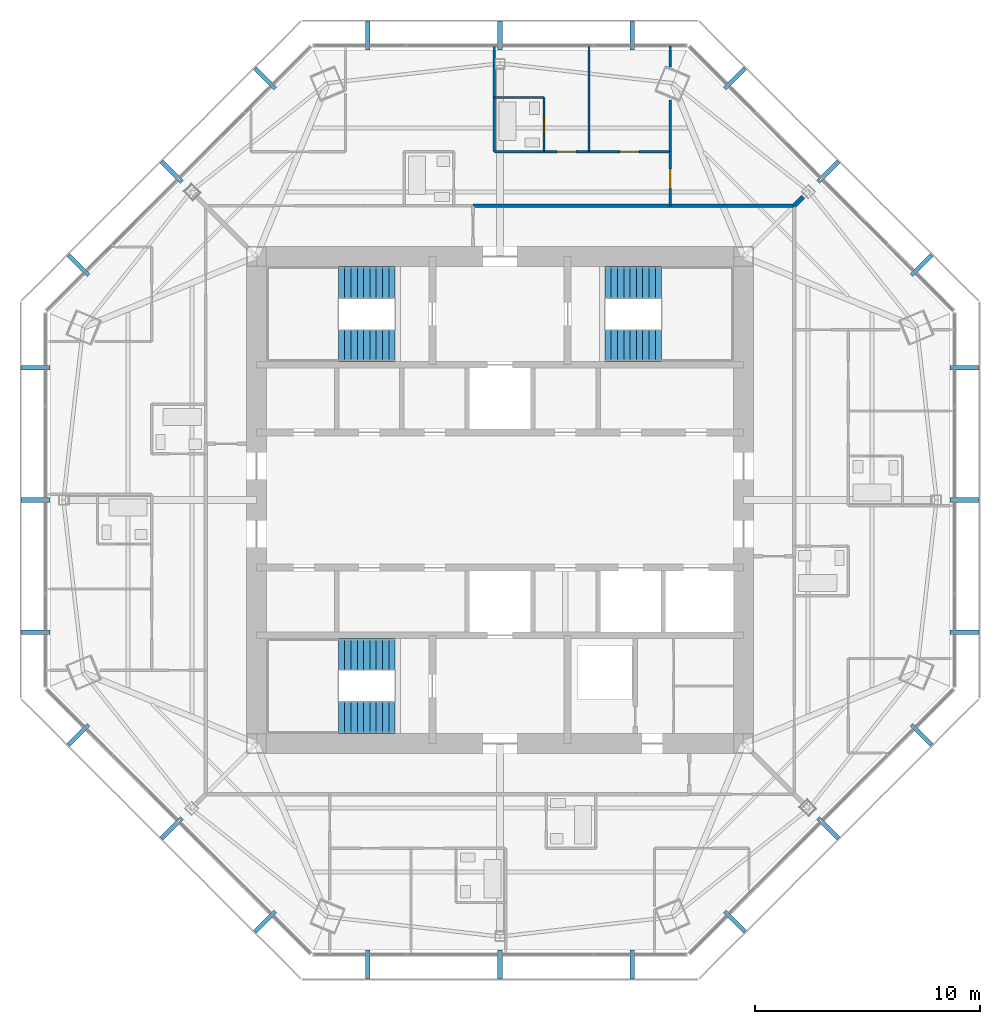
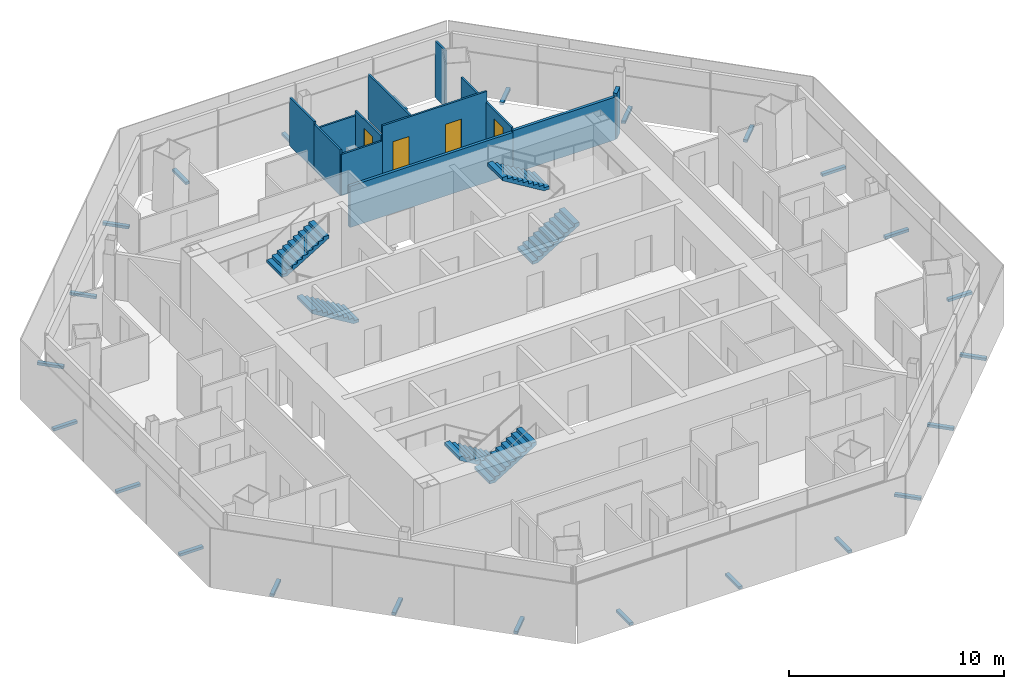
# One storey, part 13 of 15: 24 discrete accessories, 13 walls, 6 stair flights, 4 doors, 4 openings, 3 elements without a shape of their own.
"""IFC4 building model written with IfcOpenShell, lengths in metres."""

from ifc_helpers import new_model, si_unit, direction, frame, frame_2d, origin, origin_2d, place, context, subcontext, project, spatial, polyline, rectangle, outline, extrude, source, transform, mapped, material, layer, layer_set, type_object, type_shapes, element, fill, aggregate, save


model = new_model("IFC4")

# Units and contexts
model_context = context("Model", 3, precision=1e-05, world=origin(), true_north=direction((0.0, 1.0)))
body_context = subcontext(model_context, "Body", "Model", "MODEL_VIEW")
ifc_project = project(units=[si_unit("LENGTHUNIT", "METRE"), si_unit("AREAUNIT", "SQUARE_METRE"), si_unit("VOLUMEUNIT", "CUBIC_METRE"), si_unit("PLANEANGLEUNIT", "RADIAN"), si_unit("MASSUNIT", "GRAM", prefix="KILO")], contexts=[model_context])

# Site, building, storey
site_placement = place(None, origin())
site = spatial("IfcSite", under=ifc_project, at=site_placement, CompositionType="ELEMENT")
building_placement = place(site_placement, origin())
building = spatial("IfcBuilding", under=site, at=building_placement, Name="Mashrafa Tower", CompositionType="ELEMENT")
storey_placement = place(building_placement, frame((0.0, 0.0, 277.60009765625)))
storey = spatial("IfcBuildingStorey", under=building, at=storey_placement, Name="L67", CompositionType="ELEMENT", Elevation=277.60009765625)

# Walls
ifc_material_1 = material(Name="Gypsum board on steel studs", Category="steel")
ifc_layer_1 = layer(ifc_material_1, 0.199951171875)
ifc_layer_set_1 = layer_set([ifc_layer_1], Name="Acoustic partition 200 1 hr")
wall_type_1 = type_object("IfcWallType", Name="Acoustic partition 200 1 hr", PredefinedType="PARTITIONING", material=ifc_layer_set_1)
wall_1_placement = place(storey_placement, frame((13.4501953125, 13.4501953125, 0.0), z_axis=(0.0, 0.0, 1.0), x_axis=(-0.707106781187, -0.707106781187, 0.0)))
element("IfcWall", 1, at=wall_1_placement, inside=storey, type_object=wall_type_1, Name="Acoustic wall L67-050", PredefinedType="PARTITIONING", context=body_context, shape_type="SweptSolid", body=[
    extrude(rectangle(XDim=0.56591796875, YDim=0.199951171875, at=frame_2d((0.282958984375, 0.0))), origin(), (0.0, 0.0, 1.0), 2.590576171875),
])
ifc_material_2 = material(Name="Gypsum board on steel studs", Category="steel")
ifc_layer_2 = layer(ifc_material_2, 0.14990234375)
ifc_layer_set_2 = layer_set([ifc_layer_2], Name="Corridor partition 150 1 hr")
wall_type_2 = type_object("IfcWallType", Name="Corridor partition 150 1 hr", PredefinedType="PARTITIONING", material=ifc_layer_set_2)
wall_2_placement = place(storey_placement, frame((13.050048828125, 13.050048828125, 0.0), z_axis=(0.0, 0.0, 1.0), x_axis=(-1.0, 0.0, 0.0)))
element("IfcWall", 2, at=wall_2_placement, inside=storey, type_object=wall_type_2, Name="Corridor wall L67-004", PredefinedType="PARTITIONING", context=body_context, shape_type="SweptSolid", body=[
    extrude(rectangle(XDim=5.5009765625, YDim=0.14990234375, at=frame_2d((2.75048828125, 0.0))), origin(), (0.0, 0.0, 1.0), 2.427978515625),
])
wall_3_placement = place(storey_placement, frame((7.551025390625, 13.050048828125, 0.0), z_axis=(0.0, 0.0, 1.0), x_axis=(-1.0, 0.0, 0.0)))
element("IfcWall", 3, at=wall_3_placement, inside=storey, type_object=wall_type_2, Name="Corridor wall L67-005", PredefinedType="PARTITIONING", context=body_context, shape_type="SweptSolid", body=[
    extrude(rectangle(XDim=8.7509765625, YDim=0.14990234375, at=frame_2d((4.37548828125, 0.0))), origin(), (0.0, 0.0, 1.0), 2.343994140625),
])

# Wall, opening, door
ifc_material_3 = material(Name="Gypsum board on steel studs", Category="steel")
ifc_layer_3 = layer(ifc_material_3, 0.10009765625)
ifc_layer_set_3 = layer_set([ifc_layer_3], Name="Partition 100")
wall_type_3 = type_object("IfcWallType", Name="Partition 100", PredefinedType="PARTITIONING", material=ifc_layer_set_3)
wall_4_placement = place(storey_placement, frame((1.949951171875, 15.449951171875, 0.0), z_axis=(0.0, 0.0, 1.0), x_axis=(0.0, 1.0, 0.0)))
wall_4 = element("IfcWall", 4, at=wall_4_placement, inside=storey, type_object=wall_type_3, Name="Partition wall L67-058", PredefinedType="PARTITIONING", context=body_context, shape_type="SweptSolid", body=[
    extrude(rectangle(XDim=2.400146484375, YDim=0.10009765625, at=frame_2d((1.2001953125, 0.0))), origin(), (0.0, 0.0, 1.0), 2.590576171875),
])
opening_1_placement = place(wall_4_placement, frame((0.800048828125, 0.0, 0.0)))
opening_1 = element("IfcOpeningElement", 5, at=opening_1_placement, cuts=wall_4, Name="Opening 67.012", PredefinedType="OPENING", context=body_context, shape_type="SweptSolid", body=[
    extrude(rectangle(XDim=0.800048828125, YDim=2.10009765625, at=frame_2d((0.39990234375, 1.050048828125))), frame((0.0, 0.06005859375, 0.0), z_axis=(0.0, -1.0, 0.0), x_axis=(1.0, 0.0, 0.0)), (0.0, 0.0, 1.0), 0.1201171875),
])
ifc_material_4 = material(Name="Timber door", Category="wood")
door_type_1 = type_object("IfcDoorType", Name="Bathroom door 800 x 2100", OperationType="USERDEFINED", PredefinedType="DOOR", material=ifc_material_4)
door_1_placement = place(opening_1_placement, origin())
door_1 = element("IfcDoor", 6, at=door_1_placement, inside=storey, type_object=door_type_1, Name="Apartment 6702 En-suite Bathroom door", OperationType="SINGLE_SWING_RIGHT", OverallHeight=2.10009765625, OverallWidth=0.800048828125, PredefinedType="DOOR", context=body_context, shape_type="SweptSolid", body=[
    extrude(rectangle(XDim=0.800048828125, YDim=2.10009765625, at=frame_2d((0.39990234375, 1.050048828125))), frame((0.0, 0.02490234375, 0.0), z_axis=(0.0, -1.0, 0.0), x_axis=(1.0, 0.0, 0.0)), (0.0, 0.0, 1.0), 0.050048828125),
])
fill(opening_1, door_1)

# Walls
wall_5_placement = place(storey_placement, frame((1.949951171875, 17.85009765625, 0.0), z_axis=(0.0, 0.0, 1.0), x_axis=(-1.0, 0.0, 0.0)))
element("IfcWall", 7, at=wall_5_placement, inside=storey, type_object=wall_type_3, Name="Partition wall L67-059", PredefinedType="PARTITIONING", context=body_context, shape_type="SweptSolid", body=[
    extrude(rectangle(XDim=2.199951171875, YDim=0.10009765625, at=frame_2d((1.10009765625, 0.0))), origin(), (0.0, 0.0, 1.0), 2.343994140625),
])
wall_6_placement = place(storey_placement, frame((-0.25, 17.85009765625, 0.0), z_axis=(0.0, 0.0, 1.0), x_axis=(0.0, -1.0, 0.0)))
element("IfcWall", 8, at=wall_6_placement, inside=storey, type_object=wall_type_3, Name="Partition wall L67-060", PredefinedType="PARTITIONING", context=body_context, shape_type="SweptSolid", body=[
    extrude(rectangle(XDim=2.400146484375, YDim=0.10009765625, at=frame_2d((1.2001953125, 0.0))), origin(), (0.0, 0.0, 1.0), 2.590576171875),
])
wall_7_placement = place(storey_placement, frame((-0.25, 15.449951171875, 0.0), z_axis=(0.0, 0.0, 1.0), x_axis=(1.0, 0.0, 0.0)))
element("IfcWall", 9, at=wall_7_placement, inside=storey, type_object=wall_type_3, Name="Partition wall L67-061", PredefinedType="PARTITIONING", context=body_context, shape_type="SweptSolid", body=[
    extrude(rectangle(XDim=2.199951171875, YDim=0.10009765625, at=frame_2d((1.10009765625, 0.0))), origin(), (0.0, 0.0, 1.0), 2.343994140625),
])
wall_8_placement = place(storey_placement, frame((3.949951171875, 15.449951171875, 0.0), z_axis=(0.0, 0.0, 1.0), x_axis=(0.0, 1.0, 0.0)))
element("IfcWall", 10, at=wall_8_placement, inside=storey, type_object=wall_type_3, Name="Partition wall L67-062", PredefinedType="PARTITIONING", context=body_context, shape_type="SweptSolid", body=[
    extrude(rectangle(XDim=4.69384765625, YDim=0.10009765625, at=frame_2d((2.346923828125, 0.0))), origin(), (0.0, 0.0, 1.0), 2.590576171875),
])
wall_9_placement = place(storey_placement, frame((-0.25, 20.143798828125, 0.0), z_axis=(0.0, 0.0, 1.0), x_axis=(0.0, -1.0, 0.0)))
element("IfcWall", 11, at=wall_9_placement, inside=storey, type_object=wall_type_3, Name="Partition wall L67-063", PredefinedType="PARTITIONING", context=body_context, shape_type="SweptSolid", body=[
    extrude(rectangle(XDim=2.293701171875, YDim=0.10009765625, at=frame_2d((1.14697265625, 0.0))), origin(), (0.0, 0.0, 1.0), 2.740234375),
])

# Wall, openings, doors
wall_10_placement = place(storey_placement, frame((1.949951171875, 15.449951171875, 0.0), z_axis=(0.0, 0.0, 1.0), x_axis=(1.0, 0.0, 0.0)))
wall_10 = element("IfcWall", 12, at=wall_10_placement, inside=storey, type_object=wall_type_3, Name="Partition wall L67-064", PredefinedType="PARTITIONING", context=body_context, shape_type="SweptSolid", body=[
    extrude(rectangle(XDim=5.60009765625, YDim=0.10009765625, at=frame_2d((2.800048828125, 0.0))), origin(), (0.0, 0.0, 1.0), 3.199951171875),
])
opening_2_placement = place(wall_10_placement, frame((0.574951171875, 0.0, 0.0)))
opening_2 = element("IfcOpeningElement", 13, at=opening_2_placement, cuts=wall_10, Name="Opening 67.013", PredefinedType="OPENING", context=body_context, shape_type="SweptSolid", body=[
    extrude(rectangle(XDim=0.85009765625, YDim=2.10009765625, at=frame_2d((0.425048828125, 1.050048828125))), frame((0.0, 0.06005859375, 0.0), z_axis=(0.0, -1.0, 0.0), x_axis=(1.0, 0.0, 0.0)), (0.0, 0.0, 1.0), 0.1201171875),
])
opening_3_placement = place(wall_10_placement, frame((3.375, 0.0, 0.0)))
opening_3 = element("IfcOpeningElement", 14, at=opening_3_placement, cuts=wall_10, Name="Opening 67.014", PredefinedType="OPENING", context=body_context, shape_type="SweptSolid", body=[
    extrude(rectangle(XDim=0.85009765625, YDim=2.10009765625, at=frame_2d((0.425048828125, 1.050048828125))), frame((0.0, 0.06005859375, 0.0), z_axis=(0.0, -1.0, 0.0), x_axis=(1.0, 0.0, 0.0)), (0.0, 0.0, 1.0), 0.1201171875),
])
ifc_material_5 = material(Name="Timber door", Category="wood")
door_type_2 = type_object("IfcDoorType", Name="Bedroom door 850 x 2100", OperationType="USERDEFINED", PredefinedType="DOOR", material=ifc_material_5)
door_2_placement = place(opening_2_placement, origin())
door_2 = element("IfcDoor", 15, at=door_2_placement, inside=storey, type_object=door_type_2, Name="Apartment 6702 Bedroom 1 door", OperationType="SINGLE_SWING_RIGHT", OverallHeight=2.10009765625, OverallWidth=0.85009765625, PredefinedType="DOOR", context=body_context, shape_type="SweptSolid", body=[
    extrude(rectangle(XDim=0.85009765625, YDim=2.10009765625, at=frame_2d((0.425048828125, 1.050048828125))), frame((0.0, 0.02490234375, 0.0), z_axis=(0.0, -1.0, 0.0), x_axis=(1.0, 0.0, 0.0)), (0.0, 0.0, 1.0), 0.050048828125),
])
fill(opening_2, door_2)
door_3_placement = place(opening_3_placement, origin())
door_3 = element("IfcDoor", 16, at=door_3_placement, inside=storey, type_object=door_type_2, Name="Apartment 6702 Bedroom 2 door", OperationType="SINGLE_SWING_LEFT", OverallHeight=2.10009765625, OverallWidth=0.85009765625, PredefinedType="DOOR", context=body_context, shape_type="SweptSolid", body=[
    extrude(rectangle(XDim=0.85009765625, YDim=2.10009765625, at=frame_2d((0.425048828125, 1.050048828125))), frame((0.0, 0.02490234375, 0.0), z_axis=(0.0, -1.0, 0.0), x_axis=(1.0, 0.0, 0.0)), (0.0, 0.0, 1.0), 0.050048828125),
])
fill(opening_3, door_3)

# Walls
wall_11_placement = place(storey_placement, frame((7.550048828125, 15.449951171875, 0.0), z_axis=(0.0, 0.0, 1.0), x_axis=(0.0, 1.0, 0.0)))
element("IfcWall", 17, at=wall_11_placement, inside=storey, type_object=wall_type_3, Name="Partition wall L67-065", PredefinedType="PARTITIONING", context=body_context, shape_type="SweptSolid", body=[
    extrude(rectangle(XDim=2.294677734375, YDim=0.10009765625, at=frame_2d((1.1474609375, 0.0))), origin(), (0.0, 0.0, 1.0), 2.590576171875),
])
wall_12_placement = place(storey_placement, frame((7.550048828125, 19.197998046875, 0.0), z_axis=(0.0, 0.0, 1.0), x_axis=(0.0, 1.0, 0.0)))
element("IfcWall", 18, at=wall_12_placement, inside=storey, type_object=wall_type_3, Name="Partition wall L67-066", PredefinedType="PARTITIONING", context=body_context, shape_type="SweptSolid", body=[
    extrude(rectangle(XDim=0.94580078125, YDim=0.10009765625, at=frame_2d((0.472900390625, 0.0))), origin(), (0.0, 0.0, 1.0), 3.199951171875),
])

# Wall, opening, door
wall_13_placement = place(storey_placement, frame((7.550048828125, 15.450927734375, 0.0), z_axis=(0.0, 0.0, 1.0), x_axis=(0.0, -1.0, 0.0)))
wall_13 = element("IfcWall", 19, at=wall_13_placement, inside=storey, type_object=wall_type_3, Name="Partition wall L67-068", PredefinedType="PARTITIONING", context=body_context, shape_type="SweptSolid", body=[
    extrude(rectangle(XDim=2.40087890625, YDim=0.10009765625, at=frame_2d((1.200439453125, 0.0))), origin(), (0.0, 0.0, 1.0), 2.590576171875),
])
opening_4_placement = place(wall_13_placement, frame((0.775390625, 0.0, 0.0)))
opening_4 = element("IfcOpeningElement", 20, at=opening_4_placement, cuts=wall_13, Name="Opening 67.015", PredefinedType="OPENING", context=body_context, shape_type="SweptSolid", body=[
    extrude(rectangle(XDim=0.85009765625, YDim=2.10009765625, at=frame_2d((0.425048828125, 1.050048828125))), frame((0.0, 0.06005859375, 0.0), z_axis=(0.0, -1.0, 0.0), x_axis=(1.0, 0.0, 0.0)), (0.0, 0.0, 1.0), 0.1201171875),
])
door_4_placement = place(opening_4_placement, origin())
door_4 = element("IfcDoor", 21, at=door_4_placement, inside=storey, type_object=door_type_2, Name="Apartment 6702 Bedroom 3 door", OperationType="SINGLE_SWING_RIGHT", OverallHeight=2.10009765625, OverallWidth=0.85009765625, PredefinedType="DOOR", context=body_context, shape_type="SweptSolid", body=[
    extrude(rectangle(XDim=0.85009765625, YDim=2.10009765625, at=frame_2d((0.425048828125, 1.050048828125))), frame((0.0, 0.02490234375, 0.0), z_axis=(0.0, -1.0, 0.0), x_axis=(1.0, 0.0, 0.0)), (0.0, 0.0, 1.0), 0.050048828125),
])
fill(opening_4, door_4)

# Stair, stair flights
ifc_material_6 = material(Name="Exit stair 1400")
stair_type = type_object("IfcStairType", Name="Exit stair 1400", PredefinedType="HALF_TURN_STAIR", material=ifc_material_6)
stair_1_placement = place(storey_placement, origin())
stair_1 = element("IfcStair", 22, at=stair_1_placement, inside=storey, type_object=stair_type, Name="Stair S1 L67", PredefinedType="HALF_TURN_STAIR")
ifc_material_7 = material(Name="Concrete C32/40", Category="concrete")
stair_flight_type = type_object("IfcStairFlightType", Name="Stair flight 1400", PredefinedType="STRAIGHT", material=ifc_material_7)
stair_flight_1_placement = place(storey_placement, frame((-4.64990234375, 6.85009765625, 0.0), z_axis=(0.0, 0.0, 1.0), x_axis=(-1.0, 0.0, 0.0)))
stair_flight_1 = element("IfcStairFlight", 23, at=stair_flight_1_placement, type_object=stair_flight_type, Name="S1 flight 1", NumberOfRisers=10, NumberOfTreads=9, PredefinedType="STRAIGHT", RiserHeight=0.17, TreadLength=0.28, context=body_context, shape_type="SweptSolid", body=[
    extrude(outline(polyline([(0.0, 0.0), (0.0, 0.169921875), (0.280029296875, 0.169921875), (0.280029296875, 0.340087890625), (0.56005859375, 0.340087890625), (0.56005859375, 0.510009765625), (0.840087890625, 0.510009765625), (0.840087890625, 0.679931640625), (1.1201171875, 0.679931640625), (1.1201171875, 0.85009765625), (1.39990234375, 0.85009765625), (1.39990234375, 1.02001953125), (1.679931640625, 1.02001953125), (1.679931640625, 1.18994140625), (1.9599609375, 1.18994140625), (1.9599609375, 1.360107421875), (2.239990234375, 1.360107421875), (2.239990234375, 1.530029296875), (2.52001953125, 1.530029296875), (2.52001953125, 1.699951171875), (2.52001953125, 1.354736328125), (0.288818359375, 0.0), (0.0, 0.0)])), frame((0.0, 0.699951171875, 0.0), z_axis=(0.0, -1.0, 0.0), x_axis=(1.0, 0.0, 0.0)), (0.0, 0.0, 1.0), 1.39990234375),
])
stair_flight_2_placement = place(storey_placement, frame((-7.169921875, 9.64990234375, 1.699951171875), z_axis=(0.0, 0.0, 1.0), x_axis=(1.0, 0.0, 0.0)))
stair_flight_2 = element("IfcStairFlight", 24, at=stair_flight_2_placement, type_object=stair_flight_type, Name="S1 flight 2", NumberOfRisers=10, NumberOfTreads=9, PredefinedType="STRAIGHT", RiserHeight=0.17, TreadLength=0.28, context=body_context, shape_type="SweptSolid", body=[
    extrude(outline(polyline([(0.0, 0.0), (0.0, 0.169921875), (0.280029296875, 0.169921875), (0.280029296875, 0.340087890625), (0.56005859375, 0.340087890625), (0.56005859375, 0.510009765625), (0.840087890625, 0.510009765625), (0.840087890625, 0.679931640625), (1.1201171875, 0.679931640625), (1.1201171875, 0.85009765625), (1.39990234375, 0.85009765625), (1.39990234375, 1.02001953125), (1.679931640625, 1.02001953125), (1.679931640625, 1.18994140625), (1.9599609375, 1.18994140625), (1.9599609375, 1.360107421875), (2.239990234375, 1.360107421875), (2.239990234375, 1.530029296875), (2.52001953125, 1.530029296875), (2.52001953125, 1.699951171875), (2.52001953125, 1.354736328125), (0.288818359375, 0.0), (0.0, 0.0)])), frame((0.0, 0.699951171875, 0.0), z_axis=(0.0, -1.0, 0.0), x_axis=(1.0, 0.0, 0.0)), (0.0, 0.0, 1.0), 1.39990234375),
])
aggregate(stair_1, [stair_flight_1, stair_flight_2])

stair_2_placement = place(storey_placement, origin())
stair_2 = element("IfcStair", 25, at=stair_2_placement, inside=storey, type_object=stair_type, Name="Stair S2 L67", PredefinedType="HALF_TURN_STAIR")
stair_flight_3_placement = place(storey_placement, frame((4.64990234375, 6.85009765625, 0.0), z_axis=(0.0, 0.0, 1.0), x_axis=(1.0, 0.0, 0.0)))
stair_flight_3 = element("IfcStairFlight", 26, at=stair_flight_3_placement, type_object=stair_flight_type, Name="S2 flight 1", NumberOfRisers=10, NumberOfTreads=9, PredefinedType="STRAIGHT", RiserHeight=0.17, TreadLength=0.28, context=body_context, shape_type="SweptSolid", body=[
    extrude(outline(polyline([(0.0, 0.0), (0.0, 0.169921875), (0.280029296875, 0.169921875), (0.280029296875, 0.340087890625), (0.56005859375, 0.340087890625), (0.56005859375, 0.510009765625), (0.840087890625, 0.510009765625), (0.840087890625, 0.679931640625), (1.1201171875, 0.679931640625), (1.1201171875, 0.85009765625), (1.39990234375, 0.85009765625), (1.39990234375, 1.02001953125), (1.679931640625, 1.02001953125), (1.679931640625, 1.18994140625), (1.9599609375, 1.18994140625), (1.9599609375, 1.360107421875), (2.239990234375, 1.360107421875), (2.239990234375, 1.530029296875), (2.52001953125, 1.530029296875), (2.52001953125, 1.699951171875), (2.52001953125, 1.354736328125), (0.288818359375, 0.0), (0.0, 0.0)])), frame((0.0, 0.699951171875, 0.0), z_axis=(0.0, -1.0, 0.0), x_axis=(1.0, 0.0, 0.0)), (0.0, 0.0, 1.0), 1.39990234375),
])
stair_flight_4_placement = place(storey_placement, frame((7.169921875, 9.64990234375, 1.699951171875), z_axis=(0.0, 0.0, 1.0), x_axis=(-1.0, 0.0, 0.0)))
stair_flight_4 = element("IfcStairFlight", 27, at=stair_flight_4_placement, type_object=stair_flight_type, Name="S2 flight 2", NumberOfRisers=10, NumberOfTreads=9, PredefinedType="STRAIGHT", RiserHeight=0.17, TreadLength=0.28, context=body_context, shape_type="SweptSolid", body=[
    extrude(outline(polyline([(0.0, 0.0), (0.0, 0.169921875), (0.280029296875, 0.169921875), (0.280029296875, 0.340087890625), (0.56005859375, 0.340087890625), (0.56005859375, 0.510009765625), (0.840087890625, 0.510009765625), (0.840087890625, 0.679931640625), (1.1201171875, 0.679931640625), (1.1201171875, 0.85009765625), (1.39990234375, 0.85009765625), (1.39990234375, 1.02001953125), (1.679931640625, 1.02001953125), (1.679931640625, 1.18994140625), (1.9599609375, 1.18994140625), (1.9599609375, 1.360107421875), (2.239990234375, 1.360107421875), (2.239990234375, 1.530029296875), (2.52001953125, 1.530029296875), (2.52001953125, 1.699951171875), (2.52001953125, 1.354736328125), (0.288818359375, 0.0), (0.0, 0.0)])), frame((0.0, 0.699951171875, 0.0), z_axis=(0.0, -1.0, 0.0), x_axis=(1.0, 0.0, 0.0)), (0.0, 0.0, 1.0), 1.39990234375),
])
aggregate(stair_2, [stair_flight_3, stair_flight_4])

stair_3_placement = place(storey_placement, origin())
stair_3 = element("IfcStair", 28, at=stair_3_placement, inside=storey, type_object=stair_type, Name="Stair S3 L67", PredefinedType="HALF_TURN_STAIR")
stair_flight_5_placement = place(storey_placement, frame((-4.64990234375, -6.85009765625, 0.0), z_axis=(0.0, 0.0, 1.0), x_axis=(-1.0, 0.0, 0.0)))
stair_flight_5 = element("IfcStairFlight", 29, at=stair_flight_5_placement, type_object=stair_flight_type, Name="S3 flight 1", NumberOfRisers=10, NumberOfTreads=9, PredefinedType="STRAIGHT", RiserHeight=0.17, TreadLength=0.28, context=body_context, shape_type="SweptSolid", body=[
    extrude(outline(polyline([(0.0, 0.0), (0.0, 0.169921875), (0.280029296875, 0.169921875), (0.280029296875, 0.340087890625), (0.56005859375, 0.340087890625), (0.56005859375, 0.510009765625), (0.840087890625, 0.510009765625), (0.840087890625, 0.679931640625), (1.1201171875, 0.679931640625), (1.1201171875, 0.85009765625), (1.39990234375, 0.85009765625), (1.39990234375, 1.02001953125), (1.679931640625, 1.02001953125), (1.679931640625, 1.18994140625), (1.9599609375, 1.18994140625), (1.9599609375, 1.360107421875), (2.239990234375, 1.360107421875), (2.239990234375, 1.530029296875), (2.52001953125, 1.530029296875), (2.52001953125, 1.699951171875), (2.52001953125, 1.354736328125), (0.288818359375, 0.0), (0.0, 0.0)])), frame((0.0, 0.699951171875, 0.0), z_axis=(0.0, -1.0, 0.0), x_axis=(1.0, 0.0, 0.0)), (0.0, 0.0, 1.0), 1.39990234375),
])
stair_flight_6_placement = place(storey_placement, frame((-7.169921875, -9.64990234375, 1.699951171875), z_axis=(0.0, 0.0, 1.0), x_axis=(1.0, 0.0, 0.0)))
stair_flight_6 = element("IfcStairFlight", 30, at=stair_flight_6_placement, type_object=stair_flight_type, Name="S3 flight 2", NumberOfRisers=10, NumberOfTreads=9, PredefinedType="STRAIGHT", RiserHeight=0.17, TreadLength=0.28, context=body_context, shape_type="SweptSolid", body=[
    extrude(outline(polyline([(0.0, 0.0), (0.0, 0.169921875), (0.280029296875, 0.169921875), (0.280029296875, 0.340087890625), (0.56005859375, 0.340087890625), (0.56005859375, 0.510009765625), (0.840087890625, 0.510009765625), (0.840087890625, 0.679931640625), (1.1201171875, 0.679931640625), (1.1201171875, 0.85009765625), (1.39990234375, 0.85009765625), (1.39990234375, 1.02001953125), (1.679931640625, 1.02001953125), (1.679931640625, 1.18994140625), (1.9599609375, 1.18994140625), (1.9599609375, 1.360107421875), (2.239990234375, 1.360107421875), (2.239990234375, 1.530029296875), (2.52001953125, 1.530029296875), (2.52001953125, 1.699951171875), (2.52001953125, 1.354736328125), (0.288818359375, 0.0), (0.0, 0.0)])), frame((0.0, 0.699951171875, 0.0), z_axis=(0.0, -1.0, 0.0), x_axis=(1.0, 0.0, 0.0)), (0.0, 0.0, 1.0), 1.39990234375),
])
aggregate(stair_3, [stair_flight_5, stair_flight_6])

# Discrete accessories
ifc_material_8 = material(Name="Stainless steel screen bracket", Category="steel")
discrete_accessory_type = type_object("IfcDiscreteAccessoryType", Name="Screen support bracket 200 x 150", PredefinedType="BRACKET", material=ifc_material_8)
shared_shape = source(origin(), body_context, "Body", "SweptSolid", [
    extrude(rectangle(XDim=0.199951171875, YDim=1.27001953125, at=origin_2d()), origin(), (0.0, 0.0, 1.0), 0.14990234375),
])
type_shapes(discrete_accessory_type, [shared_shape])
for number, where, z_axis, x_axis, name in (
    (31, (20.596923828125, -5.8564453125, -0.150146484375), (0.0, 0.0, 1.0), (0.0, 1.0, 0.0), "Screen support bracket L67 east 1"),
    (32, (20.596923828125, 0.0, -0.150146484375), (0.0, 0.0, 1.0), (0.0, 1.0, 0.0), "Screen support bracket L67 east 2"),
    (33, (20.596923828125, 5.8564453125, -0.150146484375), (0.0, 0.0, 1.0), (0.0, 1.0, 0.0), "Screen support bracket L67 east 3"),
    (34, (18.705078125, 10.423095703125, -0.150146484375), (0.0, 0.0, 1.0), (-0.707106781187, 0.707106781187, 0.0), "Screen support bracket L67 north-east 1"),
    (35, (14.564208984375, 14.564208984375, -0.150146484375), (0.0, 0.0, 1.0), (-0.707106781187, 0.707106781187, 0.0), "Screen support bracket L67 north-east 2"),
    (36, (10.423095703125, 18.705078125, -0.150146484375), (0.0, 0.0, 1.0), (-0.707106781187, 0.707106781187, 0.0), "Screen support bracket L67 north-east 3"),
    (37, (5.8564453125, 20.596923828125, -0.150146484375), (0.0, 0.0, 1.0), (-1.0, 0.0, 0.0), "Screen support bracket L67 north 1"),
    (38, (0.0, 20.596923828125, -0.150146484375), (0.0, 0.0, 1.0), (-1.0, 0.0, 0.0), "Screen support bracket L67 north 2"),
    (39, (-5.8564453125, 20.596923828125, -0.150146484375), (0.0, 0.0, 1.0), (-1.0, 0.0, 0.0), "Screen support bracket L67 north 3"),
    (40, (-10.423095703125, 18.705078125, -0.150146484375), (0.0, 0.0, 1.0), (-0.707106781187, -0.707106781187, 0.0), "Screen support bracket L67 north-west 1"),
    (41, (-14.564208984375, 14.564208984375, -0.150146484375), (0.0, 0.0, 1.0), (-0.707106781187, -0.707106781187, 0.0), "Screen support bracket L67 north-west 2"),
    (42, (-18.705078125, 10.423095703125, -0.150146484375), (0.0, 0.0, 1.0), (-0.707106781187, -0.707106781187, 0.0), "Screen support bracket L67 north-west 3"),
    (43, (-20.596923828125, 5.8564453125, -0.150146484375), (0.0, 0.0, 1.0), (0.0, -1.0, 0.0), "Screen support bracket L67 west 1"),
    (44, (-20.596923828125, 0.0, -0.150146484375), (0.0, 0.0, 1.0), (0.0, -1.0, 0.0), "Screen support bracket L67 west 2"),
    (45, (-20.596923828125, -5.8564453125, -0.150146484375), (0.0, 0.0, 1.0), (0.0, -1.0, 0.0), "Screen support bracket L67 west 3"),
    (46, (-18.705078125, -10.423095703125, -0.150146484375), (0.0, 0.0, 1.0), (0.707106781187, -0.707106781187, 0.0), "Screen support bracket L67 south-west 1"),
    (47, (-14.564208984375, -14.564208984375, -0.150146484375), (0.0, 0.0, 1.0), (0.707106781187, -0.707106781187, 0.0), "Screen support bracket L67 south-west 2"),
    (48, (-10.423095703125, -18.705078125, -0.150146484375), (0.0, 0.0, 1.0), (0.707106781187, -0.707106781187, 0.0), "Screen support bracket L67 south-west 3"),
    (49, (-5.8564453125, -20.596923828125, -0.150146484375), (0.0, 0.0, 1.0), (1.0, 0.0, 0.0), "Screen support bracket L67 south 1"),
    (50, (0.0, -20.596923828125, -0.150146484375), (0.0, 0.0, 1.0), (1.0, 0.0, 0.0), "Screen support bracket L67 south 2"),
    (51, (5.8564453125, -20.596923828125, -0.150146484375), (0.0, 0.0, 1.0), (1.0, 0.0, 0.0), "Screen support bracket L67 south 3"),
    (52, (10.423095703125, -18.705078125, -0.150146484375), (0.0, 0.0, 1.0), (0.707106781187, 0.707106781187, 0.0), "Screen support bracket L67 south-east 1"),
    (53, (14.564208984375, -14.564208984375, -0.150146484375), (0.0, 0.0, 1.0), (0.707106781187, 0.707106781187, 0.0), "Screen support bracket L67 south-east 2"),
    (54, (18.705078125, -10.423095703125, -0.150146484375), (0.0, 0.0, 1.0), (0.707106781187, 0.707106781187, 0.0), "Screen support bracket L67 south-east 3"),
):
    element("IfcDiscreteAccessory", number, at=place(storey_placement, frame(where, z_axis=z_axis, x_axis=x_axis)), inside=storey, type_object=discrete_accessory_type, Name=name, PredefinedType="BRACKET", context=body_context, shape_type="MappedRepresentation", body=[
        mapped(shared_shape, transform((0.0, 0.0, 0.0))),
    ])

save(model, "model.ifc")
